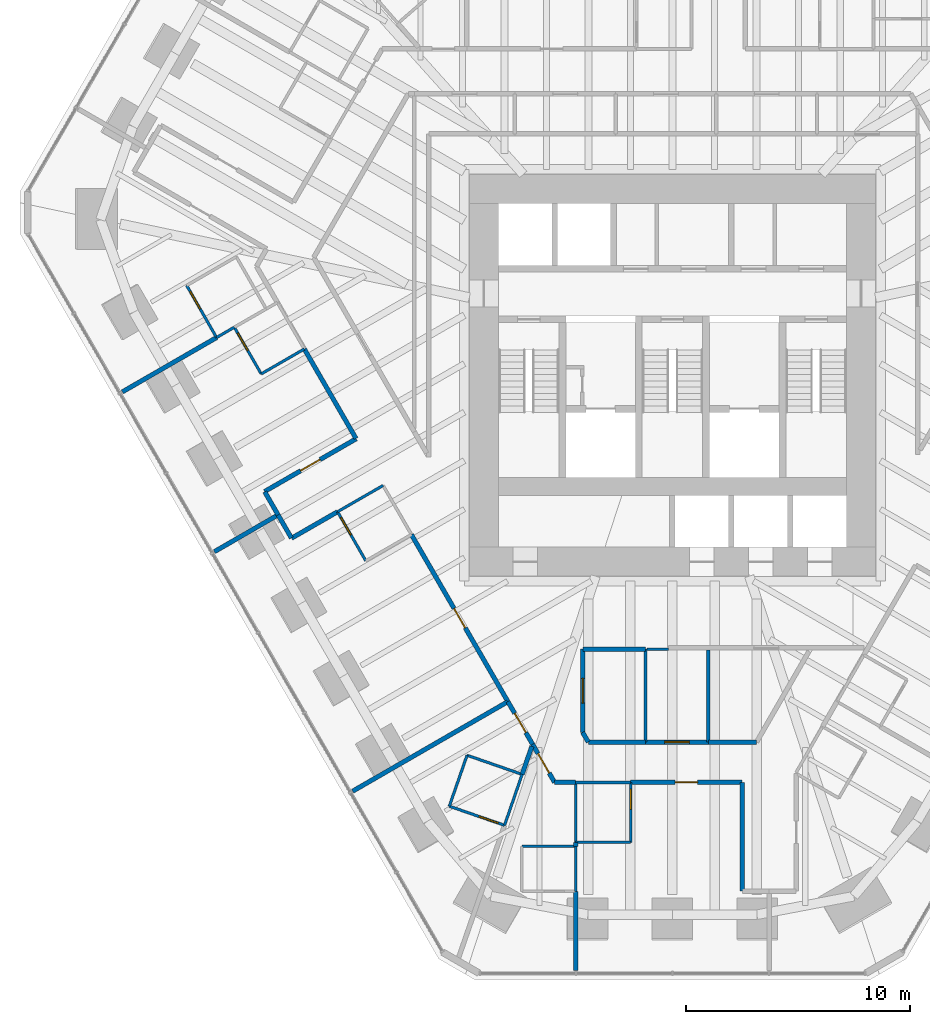
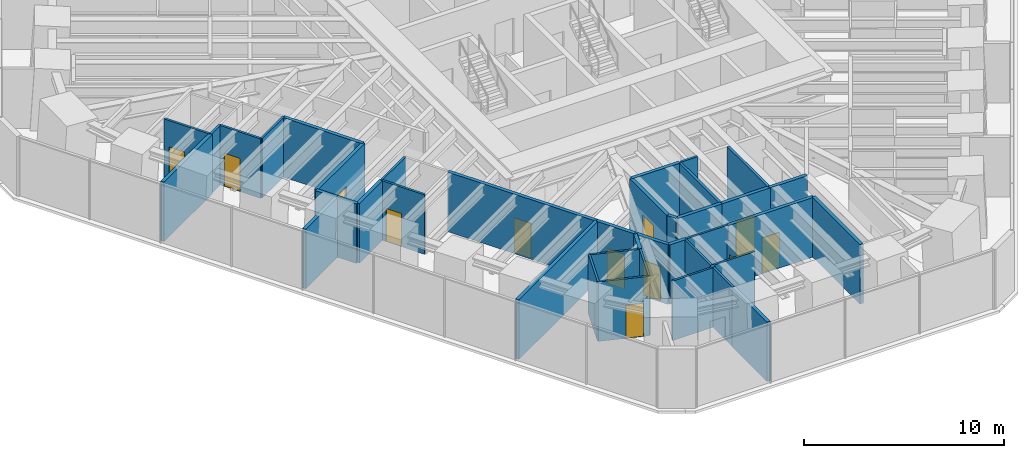
# One storey, part 11 of 17: 42 walls, 12 doors, 12 openings.
"""IFC4 building model written with IfcOpenShell, lengths in metres."""

from ifc_helpers import new_model, si_unit, direction, frame, frame_2d, origin, place, context, subcontext, project, spatial, rectangle, extrude, material, layer, layer_set, type_object, element, fill, save


model = new_model("IFC4")

# Units and contexts
model_context = context("Model", 3, precision=1e-05, world=origin(), true_north=direction((0.0, 1.0)))
body_context = subcontext(model_context, "Body", "Model", "MODEL_VIEW")
ifc_project = project(units=[si_unit("LENGTHUNIT", "METRE"), si_unit("AREAUNIT", "SQUARE_METRE"), si_unit("VOLUMEUNIT", "CUBIC_METRE"), si_unit("PLANEANGLEUNIT", "RADIAN"), si_unit("MASSUNIT", "GRAM", prefix="KILO")], contexts=[model_context])

# Site, building, storey
site_placement = place(None, origin())
site = spatial("IfcSite", under=ifc_project, at=site_placement, CompositionType="ELEMENT")
building_placement = place(site_placement, origin())
building = spatial("IfcBuilding", under=site, at=building_placement, Name="Sandreach Pilgrim Tower", CompositionType="ELEMENT")
storey_placement = place(building_placement, frame((0.0, 0.0, 169.0)))
storey = spatial("IfcBuildingStorey", under=building, at=storey_placement, Name="L42", CompositionType="ELEMENT", Elevation=169.0)

# Walls
ifc_material_1 = material(Name="Gypsum board on steel studs", Category="steel")
ifc_layer_1 = layer(ifc_material_1, 0.14990234375)
ifc_layer_set_1 = layer_set([ifc_layer_1], Name="Back of house wall 150")
wall_type_1 = type_object("IfcWallType", Name="Back of house wall 150", PredefinedType="PARTITIONING", material=ifc_layer_set_1)
wall_1_placement = place(storey_placement, frame((-1.199951171875, -13.75, 0.0), z_axis=(0.0, 0.0, 1.0), x_axis=(0.0, -1.0, 0.0)))
element("IfcWall", 1, at=wall_1_placement, inside=storey, type_object=wall_type_1, Name="Back of house wall L42-090", PredefinedType="PARTITIONING", context=body_context, shape_type="SweptSolid", body=[
    extrude(rectangle(XDim=4.139892578125, YDim=0.14990234375, at=frame_2d((2.06982421875, 0.0))), origin(), (0.0, 0.0, 1.0), 3.639892578125),
])
wall_2_placement = place(storey_placement, frame((1.60009765625, -13.800048828125, 0.0), z_axis=(0.0, 0.0, 1.0), x_axis=(0.0, -1.0, 0.0)))
element("IfcWall", 2, at=wall_2_placement, inside=storey, type_object=wall_type_1, Name="Back of house wall L42-097", PredefinedType="PARTITIONING", context=body_context, shape_type="SweptSolid", body=[
    extrude(rectangle(XDim=4.08984375, YDim=0.14990234375, at=frame_2d((2.044921875, 0.0))), origin(), (0.0, 0.0, 1.0), 3.639892578125),
])

# Wall, opening, door
ifc_material_2 = material(Name="Moisture-resistant gypsum board on steel studs", Category="steel")
ifc_layer_2 = layer(ifc_material_2, 0.1201171875)
ifc_layer_set_2 = layer_set([ifc_layer_2], Name="Bathroom partition 120")
wall_type_2 = type_object("IfcWallType", Name="Bathroom partition 120", PredefinedType="PARTITIONING", material=ifc_layer_set_2)
wall_3_placement = place(storey_placement, frame((-21.639892578125, 2.449951171875, 0.0), z_axis=(0.0, 0.0, 1.0), x_axis=(0.497288831399, -0.867585049529, 0.0)))
wall_3 = element("IfcWall", 3, at=wall_3_placement, inside=storey, type_object=wall_type_2, Name="Bathroom partition L42-007", PredefinedType="PARTITIONING", context=body_context, shape_type="SweptSolid", body=[
    extrude(rectangle(XDim=2.674072265625, YDim=0.1201171875, at=frame_2d((1.3369140625, 0.0))), origin(), (0.0, 0.0, 1.0), 3.639892578125),
])
opening_1_placement = place(wall_3_placement, frame((0.300048828125, 0.0, 0.0)))
opening_1 = element("IfcOpeningElement", 4, at=opening_1_placement, cuts=wall_3, Name="Opening D09-16B", PredefinedType="OPENING", context=body_context, shape_type="SweptSolid", body=[
    extrude(rectangle(XDim=0.89990234375, YDim=2.030029296875, at=frame_2d((0.449951171875, 1.01513671875))), frame((0.0, 0.06005859375, 0.0), z_axis=(0.0, -1.0, 0.0), x_axis=(1.0, 0.0, 0.0)), (0.0, 0.0, 1.0), 0.1201171875),
])
ifc_material_3 = material(Name="Timber door, steel frame", Category="steel")
door_type_1 = type_object("IfcDoorType", Name="Bathroom door", OperationType="SINGLE_SWING_LEFT", PredefinedType="DOOR", material=ifc_material_3)
door_1_placement = place(opening_1_placement, origin())
door_1 = element("IfcDoor", 5, at=door_1_placement, inside=storey, type_object=door_type_1, Name="Door 4216B", OperationType="SINGLE_SWING_LEFT", OverallHeight=2.030029296875, OverallWidth=0.89990234375, PredefinedType="DOOR", context=body_context, shape_type="SweptSolid", body=[
    extrude(rectangle(XDim=0.89990234375, YDim=2.030029296875, at=frame_2d((0.449951171875, 1.01513671875))), frame((0.0, 0.02490234375, 0.0), z_axis=(0.0, -1.0, 0.0), x_axis=(1.0, 0.0, 0.0)), (0.0, 0.0, 1.0), 0.050048828125),
])
fill(opening_1, door_1)

# Wall
wall_4_placement = place(storey_placement, frame((-20.31005859375, 0.1298828125, 0.0), z_axis=(0.0, 0.0, 1.0), x_axis=(0.864088651014, 0.503339649926, 0.0)))
element("IfcWall", 6, at=wall_4_placement, inside=storey, type_object=wall_type_2, Name="Bathroom partition L42-009", PredefinedType="PARTITIONING", context=body_context, shape_type="SweptSolid", body=[
    extrude(rectangle(XDim=0.914306640625, YDim=0.1201171875, at=frame_2d((0.45703125, 0.0))), origin(), (0.0, 0.0, 1.0), 3.639892578125),
])

# Wall, opening, door
wall_5_placement = place(storey_placement, frame((-19.52001953125, 0.590087890625, 0.0), z_axis=(0.0, 0.0, 1.0), x_axis=(0.499693115345, -0.866202511239, 0.0)))
wall_5 = element("IfcWall", 7, at=wall_5_placement, inside=storey, type_object=wall_type_2, Name="Bathroom partition L42-010", PredefinedType="PARTITIONING", context=body_context, shape_type="SweptSolid", body=[
    extrude(rectangle(XDim=2.4013671875, YDim=0.1201171875, at=frame_2d((1.20068359375, 0.0))), origin(), (0.0, 0.0, 1.0), 3.639892578125),
])
opening_2_placement = place(wall_5_placement, frame((0.300048828125, 0.0, 0.0)))
opening_2 = element("IfcOpeningElement", 8, at=opening_2_placement, cuts=wall_5, Name="Opening D09-15B", PredefinedType="OPENING", context=body_context, shape_type="SweptSolid", body=[
    extrude(rectangle(XDim=0.89990234375, YDim=2.030029296875, at=frame_2d((0.449951171875, 1.01513671875))), frame((0.0, 0.06005859375, 0.0), z_axis=(0.0, -1.0, 0.0), x_axis=(1.0, 0.0, 0.0)), (0.0, 0.0, 1.0), 0.1201171875),
])
door_2_placement = place(opening_2_placement, origin())
door_2 = element("IfcDoor", 9, at=door_2_placement, inside=storey, type_object=door_type_1, Name="Door 4215B", OperationType="SINGLE_SWING_LEFT", OverallHeight=2.030029296875, OverallWidth=0.89990234375, PredefinedType="DOOR", context=body_context, shape_type="SweptSolid", body=[
    extrude(rectangle(XDim=0.89990234375, YDim=2.030029296875, at=frame_2d((0.449951171875, 1.01513671875))), frame((0.0, 0.02490234375, 0.0), z_axis=(0.0, -1.0, 0.0), x_axis=(1.0, 0.0, 0.0)), (0.0, 0.0, 1.0), 0.050048828125),
])
fill(opening_2, door_2)

# Wall
wall_6_placement = place(storey_placement, frame((-18.320068359375, -1.489990234375, 0.0), z_axis=(0.0, 0.0, 1.0), x_axis=(0.865732595383, 0.500506816428, 0.0)))
element("IfcWall", 10, at=wall_6_placement, inside=storey, type_object=wall_type_2, Name="Bathroom partition L42-015", PredefinedType="PARTITIONING", context=body_context, shape_type="SweptSolid", body=[
    extrude(rectangle(XDim=2.218017578125, YDim=0.1201171875, at=frame_2d((1.10888671875, 0.0))), origin(), (0.0, 0.0, 1.0), 3.639892578125),
])

# Wall, opening, door
wall_7_placement = place(storey_placement, frame((-14.919921875, -7.6298828125, 0.0), z_axis=(0.0, 0.0, 1.0), x_axis=(0.498665353881, -0.866794592068, 0.0)))
wall_7 = element("IfcWall", 11, at=wall_7_placement, inside=storey, type_object=wall_type_2, Name="Bathroom partition L42-033", PredefinedType="PARTITIONING", context=body_context, shape_type="SweptSolid", body=[
    extrude(rectangle(XDim=2.52685546875, YDim=0.1201171875, at=frame_2d((1.263427734375, 0.0))), origin(), (0.0, 0.0, 1.0), 3.639892578125),
])
opening_3_placement = place(wall_7_placement, frame((0.300048828125, 0.0, 0.0)))
opening_3 = element("IfcOpeningElement", 12, at=opening_3_placement, cuts=wall_7, Name="Opening D09-14B", PredefinedType="OPENING", context=body_context, shape_type="SweptSolid", body=[
    extrude(rectangle(XDim=0.89990234375, YDim=2.030029296875, at=frame_2d((0.449951171875, 1.01513671875))), frame((0.0, 0.06005859375, 0.0), z_axis=(0.0, -1.0, 0.0), x_axis=(1.0, 0.0, 0.0)), (0.0, 0.0, 1.0), 0.1201171875),
])
door_3_placement = place(opening_3_placement, origin())
door_3 = element("IfcDoor", 13, at=door_3_placement, inside=storey, type_object=door_type_1, Name="Door 4214B", OperationType="SINGLE_SWING_LEFT", OverallHeight=2.030029296875, OverallWidth=0.89990234375, PredefinedType="DOOR", context=body_context, shape_type="SweptSolid", body=[
    extrude(rectangle(XDim=0.89990234375, YDim=2.030029296875, at=frame_2d((0.449951171875, 1.01513671875))), frame((0.0, 0.02490234375, 0.0), z_axis=(0.0, -1.0, 0.0), x_axis=(1.0, 0.0, 0.0)), (0.0, 0.0, 1.0), 0.050048828125),
])
fill(opening_3, door_3)

# Wall
wall_8_placement = place(storey_placement, frame((-14.919921875, -7.6298828125, 0.0), z_axis=(0.0, 0.0, 1.0), x_axis=(0.866390229467, 0.499367570316, 0.0)))
element("IfcWall", 14, at=wall_8_placement, inside=storey, type_object=wall_type_2, Name="Bathroom partition L42-034", PredefinedType="PARTITIONING", context=body_context, shape_type="SweptSolid", body=[
    extrude(rectangle(XDim=2.3427734375, YDim=0.1201171875, at=frame_2d((1.17138671875, 0.0))), origin(), (0.0, 0.0, 1.0), 3.639892578125),
])

# Wall, opening, door
wall_9_placement = place(storey_placement, frame((-9.93994140625, -20.75, 0.0), z_axis=(0.0, 0.0, 1.0), x_axis=(0.94515546045, -0.326620813149, 0.0)))
wall_9 = element("IfcWall", 15, at=wall_9_placement, inside=storey, type_object=wall_type_2, Name="Bathroom partition L42-056", PredefinedType="PARTITIONING", context=body_context, shape_type="SweptSolid", body=[
    extrude(rectangle(XDim=2.602783203125, YDim=0.1201171875, at=frame_2d((1.30126953125, 0.0))), origin(), (0.0, 0.0, 1.0), 3.639892578125),
])
opening_4_placement = place(wall_9_placement, frame((1.402587890625, 0.0, 0.0)))
opening_4 = element("IfcOpeningElement", 16, at=opening_4_placement, cuts=wall_9, Name="Opening D09-13B", PredefinedType="OPENING", context=body_context, shape_type="SweptSolid", body=[
    extrude(rectangle(XDim=0.89990234375, YDim=2.030029296875, at=frame_2d((0.449951171875, 1.01513671875))), frame((0.0, 0.06005859375, 0.0), z_axis=(0.0, -1.0, 0.0), x_axis=(1.0, 0.0, 0.0)), (0.0, 0.0, 1.0), 0.1201171875),
])
door_4_placement = place(opening_4_placement, origin())
door_4 = element("IfcDoor", 17, at=door_4_placement, inside=storey, type_object=door_type_1, Name="Door 4213B", OperationType="SINGLE_SWING_RIGHT", OverallHeight=2.030029296875, OverallWidth=0.89990234375, PredefinedType="DOOR", context=body_context, shape_type="SweptSolid", body=[
    extrude(rectangle(XDim=0.89990234375, YDim=2.030029296875, at=frame_2d((0.449951171875, 1.01513671875))), frame((0.0, 0.02490234375, 0.0), z_axis=(0.0, -1.0, 0.0), x_axis=(1.0, 0.0, 0.0)), (0.0, 0.0, 1.0), 0.050048828125),
])
fill(opening_4, door_4)

# Walls
wall_10_placement = place(storey_placement, frame((-9.14990234375, -18.47998046875, 0.0), z_axis=(0.0, 0.0, 1.0), x_axis=(-0.328693963496, -0.944436487203, 0.0)))
element("IfcWall", 18, at=wall_10_placement, inside=storey, type_object=wall_type_2, Name="Bathroom partition L42-060", PredefinedType="PARTITIONING", context=body_context, shape_type="SweptSolid", body=[
    extrude(rectangle(XDim=2.403564453125, YDim=0.1201171875, at=frame_2d((1.20166015625, 0.0))), origin(), (0.0, 0.0, 1.0), 3.639892578125),
])
wall_11_placement = place(storey_placement, frame((-7.47998046875, -21.60009765625, 0.0), z_axis=(0.0, 0.0, 1.0), x_axis=(0.326492166492, 0.945199907543, 0.0)))
element("IfcWall", 19, at=wall_11_placement, inside=storey, type_object=wall_type_2, Name="Bathroom partition L42-061", PredefinedType="PARTITIONING", context=body_context, shape_type="SweptSolid", body=[
    extrude(rectangle(XDim=2.400390625, YDim=0.1201171875, at=frame_2d((1.2001953125, 0.0))), origin(), (0.0, 0.0, 1.0), 3.639892578125),
])
wall_12_placement = place(storey_placement, frame((-6.699951171875, -19.330078125, 0.0), z_axis=(0.0, 0.0, 1.0), x_axis=(-0.944753042377, 0.327782990589, 0.0)))
element("IfcWall", 20, at=wall_12_placement, inside=storey, type_object=wall_type_2, Name="Bathroom partition L42-068", PredefinedType="PARTITIONING", context=body_context, shape_type="SweptSolid", body=[
    extrude(rectangle(XDim=2.593505859375, YDim=0.1201171875, at=frame_2d((1.296875, 0.0))), origin(), (0.0, 0.0, 1.0), 3.639892578125),
])
wall_13_placement = place(storey_placement, frame((-4.31005859375, -24.5400390625, 0.0), z_axis=(0.0, 0.0, 1.0), x_axis=(0.0, 1.0, 0.0)))
element("IfcWall", 21, at=wall_13_placement, inside=storey, type_object=wall_type_2, Name="Bathroom partition L42-073", PredefinedType="PARTITIONING", context=body_context, shape_type="SweptSolid", body=[
    extrude(rectangle(XDim=2.0, YDim=0.1201171875, at=frame_2d((1.0, 0.0))), origin(), (0.0, 0.0, 1.0), 3.639892578125),
])
wall_14_placement = place(storey_placement, frame((-4.31005859375, -22.5400390625, 0.0), z_axis=(0.0, 0.0, 1.0), x_axis=(-1.0, 0.0, 0.0)))
element("IfcWall", 22, at=wall_14_placement, inside=storey, type_object=wall_type_2, Name="Bathroom partition L42-074", PredefinedType="PARTITIONING", context=body_context, shape_type="SweptSolid", body=[
    extrude(rectangle(XDim=2.39990234375, YDim=0.1201171875, at=frame_2d((1.199951171875, 0.0))), origin(), (0.0, 0.0, 1.0), 3.639892578125),
])
wall_15_placement = place(storey_placement, frame((-4.31005859375, -22.360107421875, 0.0), z_axis=(0.0, 0.0, 1.0), x_axis=(0.0, 1.0, 0.0)))
element("IfcWall", 23, at=wall_15_placement, inside=storey, type_object=wall_type_2, Name="Bathroom partition L42-076", PredefinedType="PARTITIONING", context=body_context, shape_type="SweptSolid", body=[
    extrude(rectangle(XDim=2.670166015625, YDim=0.1201171875, at=frame_2d((1.3349609375, 0.0))), origin(), (0.0, 0.0, 1.0), 3.639892578125),
])
for number, where, z_axis, x_axis, name in (
    (24, (-4.31005859375, -22.360107421875, 0.0), (0.0, 0.0, 1.0), (1.0, 0.0, 0.0), "Bathroom partition L42-077"),
    (25, (-4.31005859375, -19.68994140625, 0.0), (0.0, 0.0, 1.0), (1.0, 0.0, 0.0), "Bathroom partition L42-078"),
):
    element("IfcWall", number, at=place(storey_placement, frame(where, z_axis=z_axis, x_axis=x_axis)), inside=storey, type_object=wall_type_2, Name=name, PredefinedType="PARTITIONING", context=body_context, shape_type="SweptSolid", body=[
        extrude(rectangle(XDim=2.449951171875, YDim=0.1201171875, at=frame_2d((1.22509765625, 0.0))), origin(), (0.0, 0.0, 1.0), 3.639892578125),
    ])

# Wall, opening, door
wall_16_placement = place(storey_placement, frame((-1.860107421875, -22.360107421875, 0.0), z_axis=(0.0, 0.0, 1.0), x_axis=(0.0, 1.0, 0.0)))
wall_16 = element("IfcWall", 26, at=wall_16_placement, inside=storey, type_object=wall_type_2, Name="Bathroom partition L42-085", PredefinedType="PARTITIONING", context=body_context, shape_type="SweptSolid", body=[
    extrude(rectangle(XDim=2.670166015625, YDim=0.1201171875, at=frame_2d((1.3349609375, 0.0))), origin(), (0.0, 0.0, 1.0), 2.712890625),
])
opening_5_placement = place(wall_16_placement, frame((1.469970703125, 0.0, 0.0)))
opening_5 = element("IfcOpeningElement", 27, at=opening_5_placement, cuts=wall_16, Name="Opening D09-11B", PredefinedType="OPENING", context=body_context, shape_type="SweptSolid", body=[
    extrude(rectangle(XDim=0.89990234375, YDim=2.030029296875, at=frame_2d((0.449951171875, 1.01513671875))), frame((0.0, 0.06005859375, 0.0), z_axis=(0.0, -1.0, 0.0), x_axis=(1.0, 0.0, 0.0)), (0.0, 0.0, 1.0), 0.1201171875),
])
door_5_placement = place(opening_5_placement, origin())
door_5 = element("IfcDoor", 28, at=door_5_placement, inside=storey, type_object=door_type_1, Name="Door 4211B", OperationType="SINGLE_SWING_RIGHT", OverallHeight=2.030029296875, OverallWidth=0.89990234375, PredefinedType="DOOR", context=body_context, shape_type="SweptSolid", body=[
    extrude(rectangle(XDim=0.89990234375, YDim=2.030029296875, at=frame_2d((0.449951171875, 1.01513671875))), frame((0.0, 0.02490234375, 0.0), z_axis=(0.0, -1.0, 0.0), x_axis=(1.0, 0.0, 0.0)), (0.0, 0.0, 1.0), 0.050048828125),
])
fill(opening_5, door_5)

# Walls
wall_17_placement = place(storey_placement, frame((-1.125, -13.75, 0.0), z_axis=(0.0, 0.0, 1.0), x_axis=(1.0, 0.0, 0.0)))
element("IfcWall", 29, at=wall_17_placement, inside=storey, type_object=wall_type_2, Name="Bathroom partition L42-091", PredefinedType="PARTITIONING", context=body_context, shape_type="SweptSolid", body=[
    extrude(rectangle(XDim=0.955078125, YDim=0.1201171875, at=frame_2d((0.4775390625, 0.0))), origin(), (0.0, 0.0, 1.0), 3.639892578125),
])
ifc_material_4 = material(Name="Gypsum board on steel studs, two layers each side", Category="steel")
ifc_layer_3 = layer(ifc_material_4, 0.199951171875)
ifc_layer_set_3 = layer_set([ifc_layer_3], Name="Corridor wall 200")
wall_type_3 = type_object("IfcWallType", Name="Corridor wall 200", PredefinedType="PARTITIONING", material=ifc_layer_set_3)
for number, where, z_axis, x_axis, name in (
    (30, (-18.16259765625, -6.742919921875, 0.0), (0.0, 0.0, 1.0), (0.499704629046, -0.866195869137, 0.0), "Corridor wall L42-016"),
    (31, (-17.570068359375, -7.77001953125, 0.0), (0.0, 0.0, 1.0), (0.499704629046, -0.866195869137, 0.0), "Corridor wall L42-021"),
):
    element("IfcWall", number, at=place(storey_placement, frame(where, z_axis=z_axis, x_axis=x_axis)), inside=storey, type_object=wall_type_3, Name=name, PredefinedType="PARTITIONING", context=body_context, shape_type="SweptSolid", body=[
        extrude(rectangle(XDim=1.185791015625, YDim=0.199951171875, at=frame_2d((0.5927734375, 0.0))), origin(), (0.0, 0.0, 1.0), 3.639892578125),
    ])
wall_18_placement = place(storey_placement, frame((-16.969970703125, -8.81005859375, 0.0), z_axis=(0.0, 0.0, 1.0), x_axis=(0.866810391375, 0.498637890061, 0.0)))
element("IfcWall", 32, at=wall_18_placement, inside=storey, type_object=wall_type_3, Name="Corridor wall L42-024", PredefinedType="PARTITIONING", context=body_context, shape_type="SweptSolid", body=[
    extrude(rectangle(XDim=2.365234375, YDim=0.199951171875, at=frame_2d((1.1826171875, 0.0))), origin(), (0.0, 0.0, 1.0), 3.639892578125),
])
wall_19_placement = place(storey_placement, frame((-16.39990234375, -0.3798828125, 0.0), z_axis=(0.0, 0.0, 1.0), x_axis=(0.500091179446, -0.865972754907, 0.0)))
element("IfcWall", 33, at=wall_19_placement, inside=storey, type_object=wall_type_3, Name="Corridor wall L42-027", PredefinedType="PARTITIONING", context=body_context, shape_type="SweptSolid", body=[
    extrude(rectangle(XDim=4.604248046875, YDim=0.199951171875, at=frame_2d((2.30224609375, 0.0))), origin(), (0.0, 0.0, 1.0), 3.639892578125),
])

# Wall, opening, door
wall_20_placement = place(storey_placement, frame((-14.090087890625, -4.3798828125, 0.0), z_axis=(0.0, 0.0, 1.0), x_axis=(-0.866521199855, -0.499140271067, 0.0)))
wall_20 = element("IfcWall", 34, at=wall_20_placement, inside=storey, type_object=wall_type_3, Name="Corridor wall L42-038", PredefinedType="PARTITIONING", context=body_context, shape_type="SweptSolid", body=[
    extrude(rectangle(XDim=4.708251953125, YDim=0.199951171875, at=frame_2d((2.35400390625, 0.0))), origin(), (0.0, 0.0, 1.0), 3.639892578125),
])
opening_6_placement = place(wall_20_placement, frame((1.854248046875, 0.0, 0.0)))
opening_6 = element("IfcOpeningElement", 35, at=opening_6_placement, cuts=wall_20, Name="Opening D10-15", PredefinedType="OPENING", context=body_context, shape_type="SweptSolid", body=[
    extrude(rectangle(XDim=1.0, YDim=2.1298828125, at=frame_2d((0.5, 1.06494140625))), frame((0.0, 0.10009765625, 0.0), z_axis=(0.0, -1.0, 0.0), x_axis=(1.0, 0.0, 0.0)), (0.0, 0.0, 1.0), 0.199951171875),
])
ifc_material_5 = material(Name="Steel door and frame", Category="steel")
door_type_2 = type_object("IfcDoorType", Name="Guest room entry door", OperationType="SINGLE_SWING_LEFT", PredefinedType="DOOR", material=ifc_material_5)
door_6_placement = place(opening_6_placement, origin())
door_6 = element("IfcDoor", 36, at=door_6_placement, inside=storey, type_object=door_type_2, Name="Door 4215", OperationType="SINGLE_SWING_LEFT", OverallHeight=2.1298828125, OverallWidth=1.0, PredefinedType="DOOR", context=body_context, shape_type="SweptSolid", body=[
    extrude(rectangle(XDim=1.0, YDim=2.1298828125, at=frame_2d((0.5, 1.06494140625))), frame((0.0, 0.02490234375, 0.0), z_axis=(0.0, -1.0, 0.0), x_axis=(1.0, 0.0, 0.0)), (0.0, 0.0, 1.0), 0.050048828125),
])
fill(opening_6, door_6)

wall_21_placement = place(storey_placement, frame((-11.6298828125, -8.64990234375, 0.0), z_axis=(0.0, 0.0, 1.0), x_axis=(0.500367528775, -0.865813106939, 0.0)))
wall_21 = element("IfcWall", 37, at=wall_21_placement, inside=storey, type_object=wall_type_3, Name="Corridor wall L42-048", PredefinedType="PARTITIONING", context=body_context, shape_type="SweptSolid", body=[
    extrude(rectangle(XDim=8.59326171875, YDim=0.199951171875, at=frame_2d((4.296630859375, 0.0))), origin(), (0.0, 0.0, 1.0), 3.639892578125),
])
opening_7_placement = place(wall_21_placement, frame((3.796630859375, 0.0, 0.0)))
opening_7 = element("IfcOpeningElement", 38, at=opening_7_placement, cuts=wall_21, Name="Opening D10-14", PredefinedType="OPENING", context=body_context, shape_type="SweptSolid", body=[
    extrude(rectangle(XDim=1.0, YDim=2.1298828125, at=frame_2d((0.5, 1.06494140625))), frame((0.0, 0.10009765625, 0.0), z_axis=(0.0, -1.0, 0.0), x_axis=(1.0, 0.0, 0.0)), (0.0, 0.0, 1.0), 0.199951171875),
])
door_7_placement = place(opening_7_placement, origin())
door_7 = element("IfcDoor", 39, at=door_7_placement, inside=storey, type_object=door_type_2, Name="Door 4214", OperationType="SINGLE_SWING_LEFT", OverallHeight=2.1298828125, OverallWidth=1.0, PredefinedType="DOOR", context=body_context, shape_type="SweptSolid", body=[
    extrude(rectangle(XDim=1.0, YDim=2.1298828125, at=frame_2d((0.5, 1.06494140625))), frame((0.0, 0.02490234375, 0.0), z_axis=(0.0, -1.0, 0.0), x_axis=(1.0, 0.0, 0.0)), (0.0, 0.0, 1.0), 0.050048828125),
])
fill(opening_7, door_7)

wall_22_placement = place(storey_placement, frame((-7.330078125, -16.090087890625, 0.0), z_axis=(0.0, 0.0, 1.0), x_axis=(0.501088872721, -0.865395829453, 0.0)))
wall_22 = element("IfcWall", 40, at=wall_22_placement, inside=storey, type_object=wall_type_3, Name="Corridor wall L42-062", PredefinedType="PARTITIONING", context=body_context, shape_type="SweptSolid", body=[
    extrude(rectangle(XDim=2.1953125, YDim=0.199951171875, at=frame_2d((1.09765625, 0.0))), origin(), (0.0, 0.0, 1.0), 3.639892578125),
])
opening_8_placement = place(wall_22_placement, frame((0.59765625, 0.0, 0.0)))
opening_8 = element("IfcOpeningElement", 41, at=opening_8_placement, cuts=wall_22, Name="Opening D10-13", PredefinedType="OPENING", context=body_context, shape_type="SweptSolid", body=[
    extrude(rectangle(XDim=1.0, YDim=2.1298828125, at=frame_2d((0.5, 1.06494140625))), frame((0.0, 0.10009765625, 0.0), z_axis=(0.0, -1.0, 0.0), x_axis=(1.0, 0.0, 0.0)), (0.0, 0.0, 1.0), 0.199951171875),
])
door_8_placement = place(opening_8_placement, origin())
door_8 = element("IfcDoor", 42, at=door_8_placement, inside=storey, type_object=door_type_2, Name="Door 4213", OperationType="SINGLE_SWING_LEFT", OverallHeight=2.1298828125, OverallWidth=1.0, PredefinedType="DOOR", context=body_context, shape_type="SweptSolid", body=[
    extrude(rectangle(XDim=1.0, YDim=2.1298828125, at=frame_2d((0.5, 1.06494140625))), frame((0.0, 0.02490234375, 0.0), z_axis=(0.0, -1.0, 0.0), x_axis=(1.0, 0.0, 0.0)), (0.0, 0.0, 1.0), 0.050048828125),
])
fill(opening_8, door_8)

wall_23_placement = place(storey_placement, frame((-6.22998046875, -17.989990234375, 0.0), z_axis=(0.0, 0.0, 1.0), x_axis=(0.499431599995, -0.866353321068, 0.0)))
wall_23 = element("IfcWall", 43, at=wall_23_placement, inside=storey, type_object=wall_type_3, Name="Corridor wall L42-070", PredefinedType="PARTITIONING", context=body_context, shape_type="SweptSolid", body=[
    extrude(rectangle(XDim=1.962158203125, YDim=0.199951171875, at=frame_2d((0.98095703125, 0.0))), origin(), (0.0, 0.0, 1.0), 3.639892578125),
])
opening_9_placement = place(wall_23_placement, frame((0.481201171875, 0.0, 0.0)))
opening_9 = element("IfcOpeningElement", 44, at=opening_9_placement, cuts=wall_23, Name="Opening D10-12", PredefinedType="OPENING", context=body_context, shape_type="SweptSolid", body=[
    extrude(rectangle(XDim=1.0, YDim=2.1298828125, at=frame_2d((0.5, 1.06494140625))), frame((0.0, 0.10009765625, 0.0), z_axis=(0.0, -1.0, 0.0), x_axis=(1.0, 0.0, 0.0)), (0.0, 0.0, 1.0), 0.199951171875),
])
door_9_placement = place(opening_9_placement, origin())
door_9 = element("IfcDoor", 45, at=door_9_placement, inside=storey, type_object=door_type_2, Name="Door 4212", OperationType="SINGLE_SWING_LEFT", OverallHeight=2.1298828125, OverallWidth=1.0, PredefinedType="DOOR", context=body_context, shape_type="SweptSolid", body=[
    extrude(rectangle(XDim=1.0, YDim=2.1298828125, at=frame_2d((0.5, 1.06494140625))), frame((0.0, 0.02490234375, 0.0), z_axis=(0.0, -1.0, 0.0), x_axis=(1.0, 0.0, 0.0)), (0.0, 0.0, 1.0), 0.050048828125),
])
fill(opening_9, door_9)

# Wall
wall_24_placement = place(storey_placement, frame((-5.25, -19.68994140625, 0.0), z_axis=(0.0, 0.0, 1.0), x_axis=(1.0, 0.0, 0.0)))
element("IfcWall", 46, at=wall_24_placement, inside=storey, type_object=wall_type_3, Name="Corridor wall L42-071", PredefinedType="PARTITIONING", context=body_context, shape_type="SweptSolid", body=[
    extrude(rectangle(XDim=0.93994140625, YDim=0.199951171875, at=frame_2d((0.469970703125, 0.0))), origin(), (0.0, 0.0, 1.0), 3.639892578125),
])

# Wall, opening, door
wall_25_placement = place(storey_placement, frame((-4.0, -17.4599609375, 0.0), z_axis=(0.0, 0.0, 1.0), x_axis=(0.0, 1.0, 0.0)))
wall_25 = element("IfcWall", 47, at=wall_25_placement, inside=storey, type_object=wall_type_3, Name="Corridor wall L42-079", PredefinedType="PARTITIONING", context=body_context, shape_type="SweptSolid", body=[
    extrude(rectangle(XDim=3.7099609375, YDim=0.199951171875, at=frame_2d((1.85498046875, 0.0))), origin(), (0.0, 0.0, 1.0), 3.639892578125),
])
opening_10_placement = place(wall_25_placement, frame((1.304931640625, 0.0, 0.0)))
opening_10 = element("IfcOpeningElement", 48, at=opening_10_placement, cuts=wall_25, Name="Opening D11H-S2", PredefinedType="OPENING", context=body_context, shape_type="SweptSolid", body=[
    extrude(rectangle(XDim=1.10009765625, YDim=2.199951171875, at=frame_2d((0.550048828125, 1.10009765625))), frame((0.0, 0.10009765625, 0.0), z_axis=(0.0, -1.0, 0.0), x_axis=(1.0, 0.0, 0.0)), (0.0, 0.0, 1.0), 0.199951171875),
])
ifc_material_6 = material(Name="Steel door and frame", Category="steel")
door_type_3 = type_object("IfcDoorType", Name="Back of house door", OperationType="SINGLE_SWING_LEFT", PredefinedType="DOOR", material=ifc_material_6)
door_10_placement = place(opening_10_placement, origin())
door_10 = element("IfcDoor", 49, at=door_10_placement, inside=storey, type_object=door_type_3, Name="Door 42S2", OperationType="SINGLE_SWING_LEFT", OverallHeight=2.199951171875, OverallWidth=1.10009765625, PredefinedType="DOOR", context=body_context, shape_type="SweptSolid", body=[
    extrude(rectangle(XDim=1.10009765625, YDim=2.199951171875, at=frame_2d((0.550048828125, 1.10009765625))), frame((0.0, 0.02490234375, 0.0), z_axis=(0.0, -1.0, 0.0), x_axis=(1.0, 0.0, 0.0)), (0.0, 0.0, 1.0), 0.050048828125),
])
fill(opening_10, door_10)

# Walls
wall_26_placement = place(storey_placement, frame((-3.989990234375, -13.75, 0.0), z_axis=(0.0, 0.0, 1.0), x_axis=(1.0, 0.0, 0.0)))
element("IfcWall", 50, at=wall_26_placement, inside=storey, type_object=wall_type_3, Name="Corridor wall L42-080", PredefinedType="PARTITIONING", context=body_context, shape_type="SweptSolid", body=[
    extrude(rectangle(XDim=2.7900390625, YDim=0.199951171875, at=frame_2d((1.39501953125, 0.0))), origin(), (0.0, 0.0, 1.0), 3.639892578125),
])
wall_27_placement = place(storey_placement, frame((-3.75, -17.889892578125, 0.0), z_axis=(0.0, 0.0, 1.0), x_axis=(-0.502680181512, 0.864472460588, 0.0)))
element("IfcWall", 51, at=wall_27_placement, inside=storey, type_object=wall_type_3, Name="Corridor wall L42-081", PredefinedType="PARTITIONING", context=body_context, shape_type="SweptSolid", body=[
    extrude(rectangle(XDim=0.497314453125, YDim=0.199951171875, at=frame_2d((0.24853515625, 0.0))), origin(), (0.0, 0.0, 1.0), 3.639892578125),
])

# Wall, opening, door
wall_28_placement = place(storey_placement, frame((-1.860107421875, -19.68994140625, 0.0), z_axis=(0.0, 0.0, 1.0), x_axis=(1.0, 0.0, 0.0)))
wall_28 = element("IfcWall", 52, at=wall_28_placement, inside=storey, type_object=wall_type_3, Name="Corridor wall L42-086", PredefinedType="PARTITIONING", context=body_context, shape_type="SweptSolid", body=[
    extrude(rectangle(XDim=4.97021484375, YDim=0.199951171875, at=frame_2d((2.485107421875, 0.0))), origin(), (0.0, 0.0, 1.0), 3.639892578125),
])
opening_11_placement = place(wall_28_placement, frame((1.985107421875, 0.0, 0.0)))
opening_11 = element("IfcOpeningElement", 53, at=opening_11_placement, cuts=wall_28, Name="Opening D10-11", PredefinedType="OPENING", context=body_context, shape_type="SweptSolid", body=[
    extrude(rectangle(XDim=1.0, YDim=2.1298828125, at=frame_2d((0.5, 1.06494140625))), frame((0.0, 0.10009765625, 0.0), z_axis=(0.0, -1.0, 0.0), x_axis=(1.0, 0.0, 0.0)), (0.0, 0.0, 1.0), 0.199951171875),
])
door_11_placement = place(opening_11_placement, origin())
door_11 = element("IfcDoor", 54, at=door_11_placement, inside=storey, type_object=door_type_2, Name="Door 4211", OperationType="SINGLE_SWING_LEFT", OverallHeight=2.1298828125, OverallWidth=1.0, PredefinedType="DOOR", context=body_context, shape_type="SweptSolid", body=[
    extrude(rectangle(XDim=1.0, YDim=2.1298828125, at=frame_2d((0.5, 1.06494140625))), frame((0.0, 0.02490234375, 0.0), z_axis=(0.0, -1.0, 0.0), x_axis=(1.0, 0.0, 0.0)), (0.0, 0.0, 1.0), 0.050048828125),
])
fill(opening_11, door_11)

# Wall
wall_29_placement = place(storey_placement, frame((-1.199951171875, -17.889892578125, 0.0), z_axis=(0.0, 0.0, 1.0), x_axis=(-1.0, 0.0, 0.0)))
element("IfcWall", 55, at=wall_29_placement, inside=storey, type_object=wall_type_3, Name="Corridor wall L42-089", PredefinedType="PARTITIONING", context=body_context, shape_type="SweptSolid", body=[
    extrude(rectangle(XDim=2.550048828125, YDim=0.199951171875, at=frame_2d((1.27490234375, 0.0))), origin(), (0.0, 0.0, 1.0), 3.639892578125),
])

# Wall, opening, door
wall_30_placement = place(storey_placement, frame((1.60009765625, -17.889892578125, 0.0), z_axis=(0.0, 0.0, 1.0), x_axis=(-1.0, 0.0, 0.0)))
wall_30 = element("IfcWall", 56, at=wall_30_placement, inside=storey, type_object=wall_type_3, Name="Corridor wall L42-096", PredefinedType="PARTITIONING", context=body_context, shape_type="SweptSolid", body=[
    extrude(rectangle(XDim=2.800048828125, YDim=0.199951171875, at=frame_2d((1.39990234375, 0.0))), origin(), (0.0, 0.0, 1.0), 3.639892578125),
])
opening_12_placement = place(wall_30_placement, frame((0.85009765625, 0.0, 0.0)))
opening_12 = element("IfcOpeningElement", 57, at=opening_12_placement, cuts=wall_30, Name="Opening D11H-S3", PredefinedType="OPENING", context=body_context, shape_type="SweptSolid", body=[
    extrude(rectangle(XDim=1.10009765625, YDim=2.199951171875, at=frame_2d((0.550048828125, 1.10009765625))), frame((0.0, 0.10009765625, 0.0), z_axis=(0.0, -1.0, 0.0), x_axis=(1.0, 0.0, 0.0)), (0.0, 0.0, 1.0), 0.199951171875),
])
door_12_placement = place(opening_12_placement, origin())
door_12 = element("IfcDoor", 58, at=door_12_placement, inside=storey, type_object=door_type_3, Name="Door 42S3", OperationType="SINGLE_SWING_LEFT", OverallHeight=2.199951171875, OverallWidth=1.10009765625, PredefinedType="DOOR", context=body_context, shape_type="SweptSolid", body=[
    extrude(rectangle(XDim=1.10009765625, YDim=2.199951171875, at=frame_2d((0.550048828125, 1.10009765625))), frame((0.0, 0.02490234375, 0.0), z_axis=(0.0, -1.0, 0.0), x_axis=(1.0, 0.0, 0.0)), (0.0, 0.0, 1.0), 0.050048828125),
])
fill(opening_12, door_12)

# Walls
wall_31_placement = place(storey_placement, frame((3.110107421875, -19.699951171875, 0.0), z_axis=(0.0, 0.0, 1.0), x_axis=(0.0, -1.0, 0.0)))
element("IfcWall", 59, at=wall_31_placement, inside=storey, type_object=wall_type_3, Name="Corridor wall L42-103", PredefinedType="PARTITIONING", context=body_context, shape_type="SweptSolid", body=[
    extrude(rectangle(XDim=4.830078125, YDim=0.199951171875, at=frame_2d((2.4150390625, 0.0))), origin(), (0.0, 0.0, 1.0), 3.639892578125),
])
wall_32_placement = place(storey_placement, frame((3.75, -17.889892578125, 0.0), z_axis=(0.0, 0.0, 1.0), x_axis=(-1.0, 0.0, 0.0)))
element("IfcWall", 60, at=wall_32_placement, inside=storey, type_object=wall_type_3, Name="Corridor wall L42-107", PredefinedType="PARTITIONING", context=body_context, shape_type="SweptSolid", body=[
    extrude(rectangle(XDim=2.14990234375, YDim=0.199951171875, at=frame_2d((1.074951171875, 0.0))), origin(), (0.0, 0.0, 1.0), 3.639892578125),
])
ifc_material_7 = material(Name="Double steel stud acoustic wall, gypsum board", Category="steel")
ifc_layer_4 = layer(ifc_material_7, 0.199951171875)
ifc_layer_set_4 = layer_set([ifc_layer_4], Name="Party wall 200")
wall_type_4 = type_object("IfcWallType", Name="Party wall 200", PredefinedType="PARTITIONING", material=ifc_layer_set_4)
wall_33_placement = place(storey_placement, frame((-24.506103515625, -2.2900390625, 0.0), z_axis=(0.0, 0.0, 1.0), x_axis=(0.86626361228, 0.499587183622, 0.0)))
element("IfcWall", 61, at=wall_33_placement, inside=storey, type_object=wall_type_4, Name="Party wall L42-002", PredefinedType="PARTITIONING", context=body_context, shape_type="SweptSolid", body=[
    extrude(rectangle(XDim=4.84375, YDim=0.199951171875, at=frame_2d((2.421875, 0.0))), origin(), (0.0, 0.0, 1.0), 3.639892578125),
])
wall_34_placement = place(storey_placement, frame((-20.406005859375, -9.409912109375, 0.0), z_axis=(0.0, 0.0, 1.0), x_axis=(0.86569782632, 0.500566952069, 0.0)))
element("IfcWall", 62, at=wall_34_placement, inside=storey, type_object=wall_type_4, Name="Party wall L42-008", PredefinedType="PARTITIONING", context=body_context, shape_type="SweptSolid", body=[
    extrude(rectangle(XDim=3.260986328125, YDim=0.199951171875, at=frame_2d((1.63037109375, 0.0))), origin(), (0.0, 0.0, 1.0), 3.639892578125),
])
wall_35_placement = place(storey_placement, frame((-14.24609375, -20.080078125, 0.0), z_axis=(0.0, 0.0, 1.0), x_axis=(0.866178955952, 0.49973394548, 0.0)))
element("IfcWall", 63, at=wall_35_placement, inside=storey, type_object=wall_type_4, Name="Party wall L42-037", PredefinedType="PARTITIONING", context=body_context, shape_type="SweptSolid", body=[
    extrude(rectangle(XDim=7.969482421875, YDim=0.199951171875, at=frame_2d((3.98486328125, 0.0))), origin(), (0.0, 0.0, 1.0), 3.639892578125),
])
wall_36_placement = place(storey_placement, frame((-6.6962890625, -19.331298828125, 0.0), z_axis=(0.0, 0.0, 1.0), x_axis=(0.328298231075, 0.944574121746, 0.0)))
element("IfcWall", 64, at=wall_36_placement, inside=storey, type_object=wall_type_4, Name="Party wall L42-069", PredefinedType="PARTITIONING", context=body_context, shape_type="SweptSolid", body=[
    extrude(rectangle(XDim=1.320068359375, YDim=0.199951171875, at=frame_2d((0.66015625, 0.0))), origin(), (0.0, 0.0, 1.0), 3.639892578125),
])
wall_37_placement = place(storey_placement, frame((-4.31005859375, -28.070068359375, 0.0), z_axis=(0.0, 0.0, 1.0), x_axis=(0.0, 1.0, 0.0)))
element("IfcWall", 65, at=wall_37_placement, inside=storey, type_object=wall_type_4, Name="Party wall L42-072", PredefinedType="PARTITIONING", context=body_context, shape_type="SweptSolid", body=[
    extrude(rectangle(XDim=3.530029296875, YDim=0.199951171875, at=frame_2d((1.76513671875, 0.0))), origin(), (0.0, 0.0, 1.0), 3.639892578125),
])
wall_38_placement = place(storey_placement, frame((-4.31005859375, -22.5400390625, 0.0), z_axis=(0.0, 0.0, 1.0), x_axis=(0.0, 1.0, 0.0)))
element("IfcWall", 66, at=wall_38_placement, inside=storey, type_object=wall_type_4, Name="Party wall L42-075", PredefinedType="PARTITIONING", context=body_context, shape_type="SweptSolid", body=[
    extrude(rectangle(XDim=0.179931640625, YDim=0.199951171875, at=frame_2d((0.08984375, 0.0))), origin(), (0.0, 0.0, 1.0), 3.639892578125),
])

save(model, "model.ifc")
